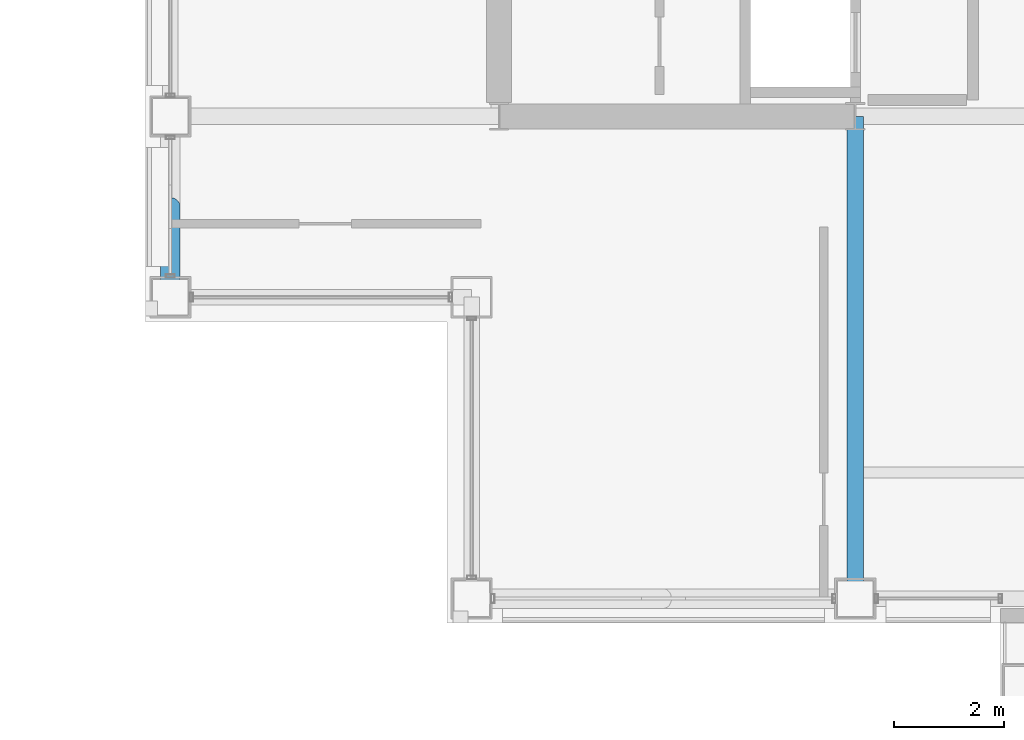
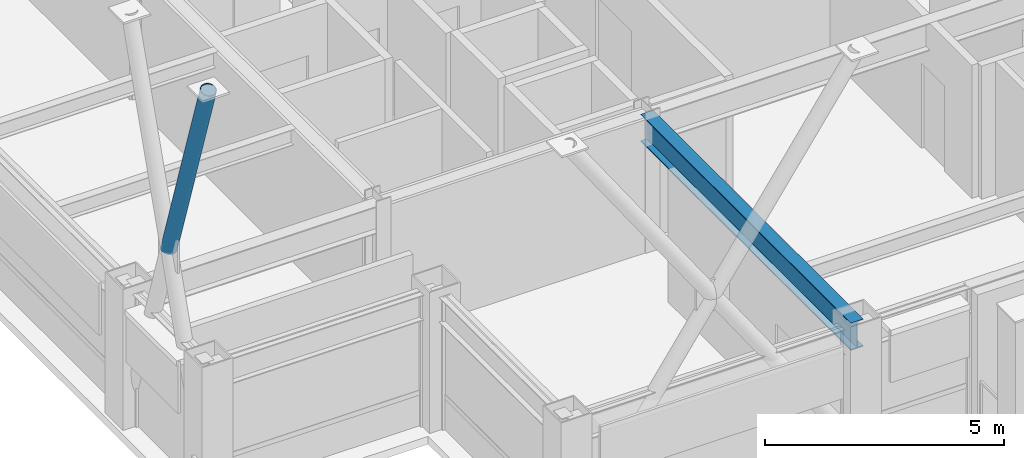
# One storey, part 4 of 32: 1 beam, 1 member.
"""IFC4 building model written with IfcOpenShell, lengths in metres."""

from ifc_helpers import new_model, si_unit, direction, frame, origin, origin_2d, place, context, subcontext, project, spatial, hollow_circle, i_section, extrude, material, material_profile, profile_set, type_object, element, save


model = new_model("IFC4")

# Units and contexts
model_context = context("Model", 3, precision=1e-05, world=origin(), true_north=direction((0.0, 1.0)))
body_context = subcontext(model_context, "Body", "Model", "MODEL_VIEW")
ifc_project = project(units=[si_unit("LENGTHUNIT", "METRE"), si_unit("AREAUNIT", "SQUARE_METRE"), si_unit("VOLUMEUNIT", "CUBIC_METRE"), si_unit("PLANEANGLEUNIT", "RADIAN"), si_unit("MASSUNIT", "GRAM", prefix="KILO")], contexts=[model_context])

# Site, building, storey
site_placement = place(None, origin())
site = spatial("IfcSite", under=ifc_project, at=site_placement, CompositionType="ELEMENT")
building_placement = place(site_placement, origin())
building = spatial("IfcBuilding", under=site, at=building_placement, Name="Brelmoor Portico Tower", CompositionType="ELEMENT")
storey_placement = place(building_placement, frame((0.0, 0.0, 162.300048828125)))
storey = spatial("IfcBuildingStorey", under=building, at=storey_placement, Name="L42", CompositionType="ELEMENT", Elevation=162.300048828125)

# Beam
ifc_material = material(Name="Steel Q355B", Category="steel")
ifc_material_profile_1 = material_profile(ifc_material, i_section(OverallWidth=0.300048828125, OverallDepth=0.699951171875, WebThickness=0.012939453125, FlangeThickness=0.02392578125, at=origin_2d()), Name="HN 700x300x13x24")
ifc_profile_set_1 = profile_set([ifc_material_profile_1], Name="Steel Q355B")
beam_type = type_object("IfcBeamType", Name="BM-PG-700", PredefinedType="BEAM", material=ifc_profile_set_1)
beam_placement = place(storey_placement, frame((-8.050048828125, -18.550048828125, 3.050048828125), z_axis=(0.0, 1.0, 0.0), x_axis=(-1.0, 0.0, 0.0)))
element("IfcBeam", 1, at=beam_placement, inside=storey, type_object=beam_type, Name="L42 Primary Floor Girder PG-03", PredefinedType="BEAM", context=body_context, shape_type="SweptSolid", body=[
    extrude(i_section(OverallWidth=0.300048828125, OverallDepth=0.699951171875, WebThickness=0.012939453125, FlangeThickness=0.02392578125, at=origin_2d()), origin(), (0.0, 0.0, 1.0), 8.800048828125),
])

# Member
ifc_material_profile_2 = material_profile(ifc_material, hollow_circle(Radius=0.177978515625, WallThickness=0.01611328125, at=origin_2d()), Name="CHS 356x16")
ifc_profile_set_2 = profile_set([ifc_material_profile_2], Name="Steel Q355B")
member_type = type_object("IfcMemberType", Name="MB-BELT-DIAG2", PredefinedType="BRACE", material=ifc_profile_set_2)
member_placement = place(storey_placement, frame((-20.550048828125, -11.39990234375, 5.300048828125), z_axis=(0.0, -0.310611106373, 0.950537080075), x_axis=(1.0, 0.0, 0.0)))
element("IfcMember", 2, at=member_placement, inside=storey, type_object=member_type, Name="L42 Split Mega-X Brace 094B2", PredefinedType="BRACE", context=body_context, shape_type="SweptSolid", body=[
    extrude(hollow_circle(Radius=0.177978515625, WallThickness=0.01611328125, at=origin_2d()), origin(), (0.0, 0.0, 1.0), 5.3125),
])

save(model, "model.ifc")
